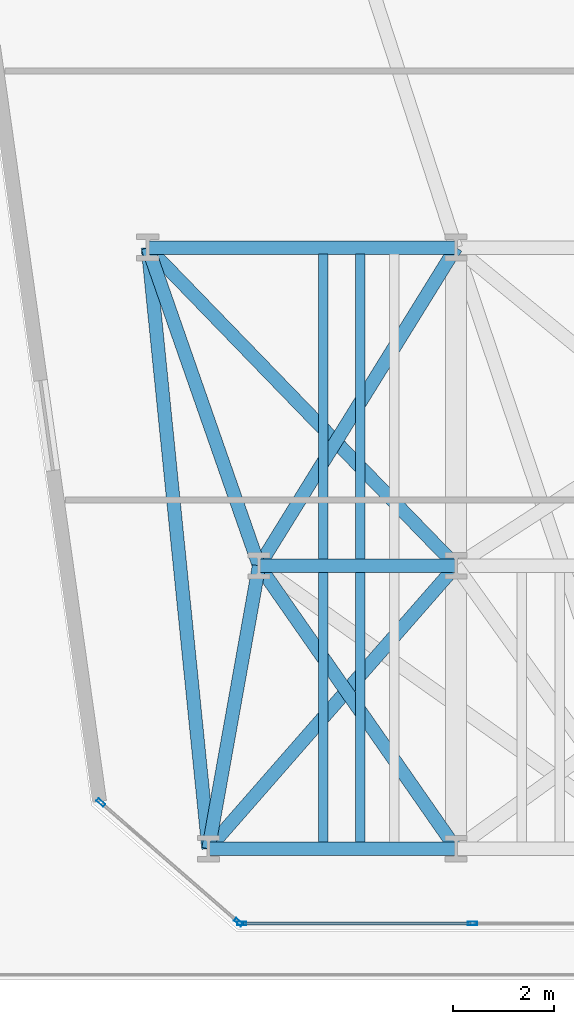
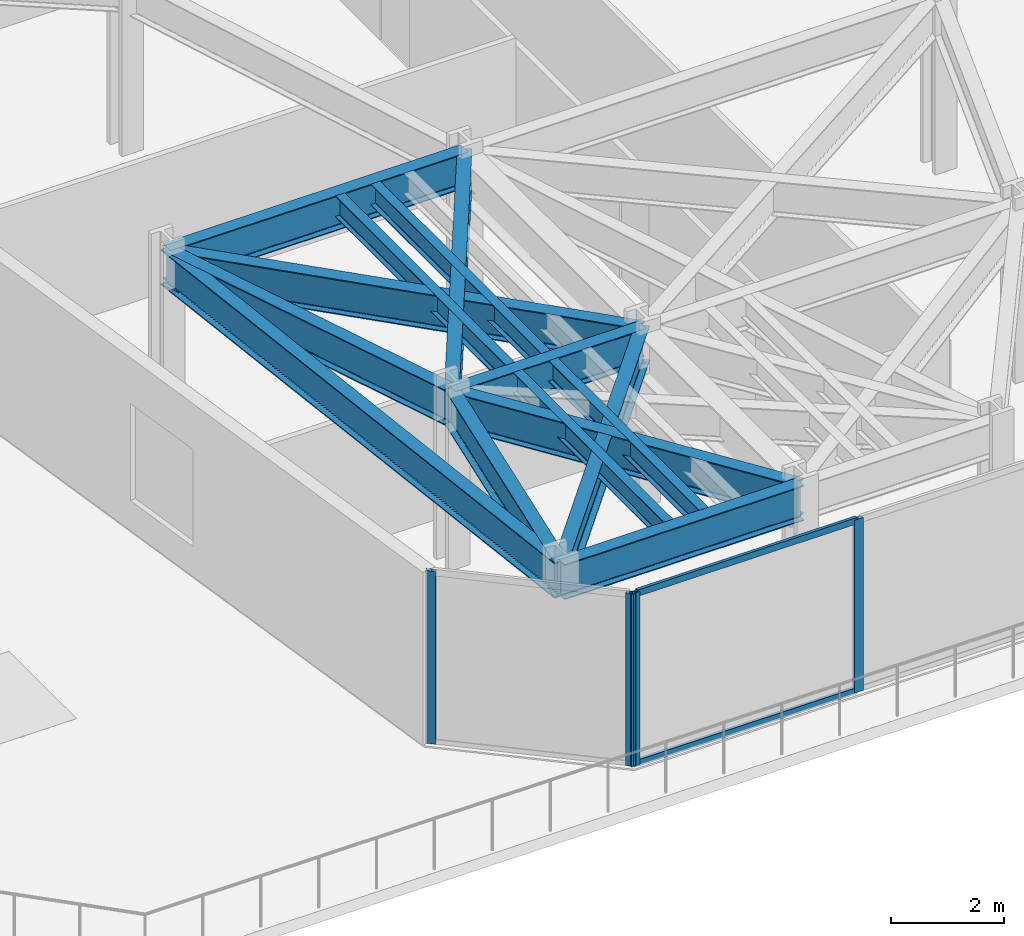
# One storey, part 2 of 25: 14 beams, 6 members, 2 elements without a shape of their own.
"""IFC4 building model written with IfcOpenShell, lengths in metres."""

from ifc_helpers import new_model, si_unit, direction, frame, origin, origin_2d, place, context, subcontext, project, spatial, hollow_rectangle, i_section, extrude, material, layer, layer_set, material_profile, profile_set, type_object, element, aggregate, save


model = new_model("IFC4")

# Units and contexts
model_context = context("Model", 3, precision=1e-05, world=origin(), true_north=direction((0.0, 1.0)))
body_context = subcontext(model_context, "Body", "Model", "MODEL_VIEW")
ifc_project = project(units=[si_unit("LENGTHUNIT", "METRE"), si_unit("AREAUNIT", "SQUARE_METRE"), si_unit("VOLUMEUNIT", "CUBIC_METRE"), si_unit("PLANEANGLEUNIT", "RADIAN"), si_unit("MASSUNIT", "GRAM", prefix="KILO")], contexts=[model_context])

# Site, building, storey
site_placement = place(None, origin())
site = spatial("IfcSite", under=ifc_project, at=site_placement, CompositionType="ELEMENT")
building_placement = place(site_placement, origin())
building = spatial("IfcBuilding", under=site, at=building_placement, Name="Kravanh Interchange Tower", CompositionType="ELEMENT")
storey_placement = place(building_placement, frame((0.0, 0.0, 29.5)))
storey = spatial("IfcBuildingStorey", under=building, at=storey_placement, Name="L06", CompositionType="ELEMENT", Elevation=29.5)

# Curtain wall, members
ifc_material_1 = material(Name="Anodised Bronze Aluminium", Category="aluminium")
ifc_layer = layer(ifc_material_1, 0.179931640625)
ifc_layer_set = layer_set([ifc_layer], Name="Unitised Curtain Wall System CW-Z1 Lower Office")
curtain_wall_type = type_object("IfcCurtainWallType", Name="Unitised Curtain Wall System CW-Z1 Lower Office", PredefinedType="NOTDEFINED", material=ifc_layer_set)
curtain_wall_1_placement = place(storey_placement, origin())
curtain_wall_1 = element("IfcCurtainWall", 1, at=curtain_wall_1_placement, inside=storey, type_object=curtain_wall_type, Name="L06 Unitised Curtain Wall CW-L06-06", PredefinedType="NOTDEFINED")
ifc_material_2 = material(Name="Anodised Bronze Aluminium", Category="aluminium")
ifc_material_profile_1 = material_profile(ifc_material_2, hollow_rectangle(XDim=0.070068359375, YDim=0.179931640625, WallThickness=0.00390625, at=origin_2d()), Name="ALU70X180X4")
ifc_profile_set_1 = profile_set([ifc_material_profile_1], Name="Anodised Bronze Aluminium")
member_type_1 = type_object("IfcMemberType", Name="Curtain Wall Mullion ALU70X180X4 Bronze", PredefinedType="MULLION", material=ifc_profile_set_1)
member_1_placement = place(storey_placement, frame((17.8271484375, 1.1201171875, 0.0), z_axis=(0.0, 0.0, 1.0), x_axis=(0.0, -1.0, 0.0)))
member_1 = element("IfcMember", 2, at=member_1_placement, type_object=member_type_1, Name="CW-Z1 mullion 2", PredefinedType="MULLION", context=body_context, shape_type="SweptSolid", body=[
    extrude(hollow_rectangle(XDim=0.070068359375, YDim=0.179931640625, WallThickness=0.00390625, at=origin_2d()), origin(), (0.0, 0.0, 1.0), 3.739990234375),
])
member_2_placement = place(storey_placement, frame((13.255615234375, 1.1201171875, 0.0), z_axis=(0.0, 0.0, 1.0), x_axis=(0.0, -1.0, 0.0)))
member_2 = element("IfcMember", 3, at=member_2_placement, type_object=member_type_1, Name="CW-Z1 mullion 3", PredefinedType="MULLION", context=body_context, shape_type="SweptSolid", body=[
    extrude(hollow_rectangle(XDim=0.070068359375, YDim=0.179931640625, WallThickness=0.00390625, at=origin_2d()), origin(), (0.0, 0.0, 1.0), 3.739990234375),
])

curtain_wall_2_placement = place(storey_placement, origin())
curtain_wall_2 = element("IfcCurtainWall", 4, at=curtain_wall_2_placement, inside=storey, type_object=curtain_wall_type, Name="L06 Unitised Curtain Wall CW-L06-07", PredefinedType="NOTDEFINED")
member_3_placement = place(storey_placement, frame((13.194091796875, 1.14306640625, 0.0), z_axis=(0.0, 0.0, 1.0), x_axis=(-0.656060422341, -0.754708368999, 0.0)))
member_3 = element("IfcMember", 5, at=member_3_placement, type_object=member_type_1, Name="CW-Z1 mullion 1", PredefinedType="MULLION", context=body_context, shape_type="SweptSolid", body=[
    extrude(hollow_rectangle(XDim=0.070068359375, YDim=0.179931640625, WallThickness=0.00390625, at=origin_2d()), origin(), (0.0, 0.0, 1.0), 3.739990234375),
])
member_4_placement = place(storey_placement, frame((10.466796875, 3.513916015625, 0.0), z_axis=(0.0, 0.0, 1.0), x_axis=(-0.656060422341, -0.754708368999, 0.0)))
member_4 = element("IfcMember", 6, at=member_4_placement, type_object=member_type_1, Name="CW-Z1 mullion 2", PredefinedType="MULLION", context=body_context, shape_type="SweptSolid", body=[
    extrude(hollow_rectangle(XDim=0.070068359375, YDim=0.179931640625, WallThickness=0.00390625, at=origin_2d()), origin(), (0.0, 0.0, 1.0), 3.739990234375),
])
aggregate(curtain_wall_2, [member_3, member_4])

# Member
ifc_material_3 = material(Name="Anodised Bronze Aluminium", Category="aluminium")
ifc_material_profile_2 = material_profile(ifc_material_3, hollow_rectangle(XDim=0.06005859375, YDim=0.139892578125, WallThickness=0.00390625, at=origin_2d()), Name="ALU60X140X4")
ifc_profile_set_2 = profile_set([ifc_material_profile_2], Name="Anodised Bronze Aluminium")
member_type_2 = type_object("IfcMemberType", Name="Curtain Wall Transom ALU60X140X4 Bronze", PredefinedType="USERDEFINED", material=ifc_profile_set_2)
member_5_placement = place(storey_placement, frame((17.792236328125, 1.1201171875, 0.030029296875), z_axis=(-1.0, 0.0, 0.0), x_axis=(0.0, -1.0, 0.0)))
member_5 = element("IfcMember", 7, at=member_5_placement, type_object=member_type_2, Name="CW-Z1 transom 2.1", ObjectType="TRANSOM", PredefinedType="USERDEFINED", context=body_context, shape_type="SweptSolid", body=[
    extrude(hollow_rectangle(XDim=0.06005859375, YDim=0.139892578125, WallThickness=0.00390625, at=origin_2d()), origin(), (0.0, 0.0, 1.0), 4.501708984375),
])

member_6_placement = place(storey_placement, frame((17.792236328125, 1.1201171875, 3.7099609375), z_axis=(-1.0, 0.0, 0.0), x_axis=(0.0, -1.0, 0.0)))
member_6 = element("IfcMember", 8, at=member_6_placement, type_object=member_type_2, Name="CW-Z1 transom 2.2", ObjectType="TRANSOM", PredefinedType="USERDEFINED", context=body_context, shape_type="SweptSolid", body=[
    extrude(hollow_rectangle(XDim=0.06005859375, YDim=0.139892578125, WallThickness=0.00390625, at=origin_2d()), origin(), (0.0, 0.0, 1.0), 4.501708984375),
])

aggregate(curtain_wall_1, [member_1, member_2, member_5, member_6])

# Beams
ifc_material_4 = material(Name="Structural Steel S355", Category="steel")
ifc_material_profile_3 = material_profile(ifc_material_4, i_section(OverallWidth=0.18994140625, OverallDepth=0.45703125, WebThickness=0.009033203125, FlangeThickness=0.014404296875, FilletRadius=0.01806640625, at=origin_2d()), Name="W18X50")
ifc_profile_set_3 = profile_set([ifc_material_profile_3], Name="Structural Steel S355")
beam_type_1 = type_object("IfcBeamType", Name="Floor Joist W18X50 Structural Steel S355", PredefinedType="JOIST", material=ifc_profile_set_3)
for number, where, z_axis, x_axis, name in (
    (9, (14.8740234375, 2.728515625, 3.511474609375), (0.0, 1.0, 0.0), (-1.0, 0.0, 0.0), "L06 Secondary Floor Joist 1"),
    (10, (15.60205078125, 2.728515625, 3.511474609375), (0.0, 1.0, 0.0), (-1.0, 0.0, 0.0), "L06 Secondary Floor Joist 2"),
):
    element("IfcBeam", number, at=place(storey_placement, frame(where, z_axis=z_axis, x_axis=x_axis)), inside=storey, type_object=beam_type_1, Name=name, PredefinedType="JOIST", context=body_context, shape_type="SweptSolid", body=[
        extrude(i_section(OverallWidth=0.18994140625, OverallDepth=0.45703125, WebThickness=0.009033203125, FlangeThickness=0.014404296875, FilletRadius=0.01806640625, at=origin_2d()), origin(), (0.0, 0.0, 1.0), 5.343017578125),
    ])
for number, where, z_axis, x_axis, name in (
    (11, (14.8740234375, 8.32861328125, 3.511474609375), (0.0, 1.0, 0.0), (-1.0, 0.0, 0.0), "L06 Secondary Floor Joist 10"),
    (12, (15.60205078125, 8.32861328125, 3.511474609375), (0.0, 1.0, 0.0), (-1.0, 0.0, 0.0), "L06 Secondary Floor Joist 11"),
):
    element("IfcBeam", number, at=place(storey_placement, frame(where, z_axis=z_axis, x_axis=x_axis)), inside=storey, type_object=beam_type_1, Name=name, PredefinedType="JOIST", context=body_context, shape_type="SweptSolid", body=[
        extrude(i_section(OverallWidth=0.18994140625, OverallDepth=0.45703125, WebThickness=0.009033203125, FlangeThickness=0.014404296875, FilletRadius=0.01806640625, at=origin_2d()), origin(), (0.0, 0.0, 1.0), 6.04296875),
    ])
ifc_material_5 = material(Name="Structural Steel S355", Category="steel")
ifc_material_profile_4 = material_profile(ifc_material_5, i_section(OverallWidth=0.26708984375, OverallDepth=0.761962890625, WebThickness=0.014404296875, FlangeThickness=0.021484375, FilletRadius=0.02490234375, at=origin_2d()), Name="W30X116")
ifc_profile_set_4 = profile_set([ifc_material_profile_4], Name="Structural Steel S355")
beam_type_2 = type_object("IfcBeamType", Name="Floor Spandrel W30X116 Structural Steel S355", PredefinedType="SPANDREL", material=ifc_profile_set_4)
beam_1_placement = place(storey_placement, frame((12.60009765625, 2.60009765625, 3.35888671875), z_axis=(1.0, 0.0, 0.0), x_axis=(0.0, 1.0, 0.0)))
element("IfcBeam", 13, at=beam_1_placement, inside=storey, type_object=beam_type_2, Name="L06 Perimeter Spandrel 38", PredefinedType="SPANDREL", context=body_context, shape_type="SweptSolid", body=[
    extrude(i_section(OverallWidth=0.26708984375, OverallDepth=0.761962890625, WebThickness=0.014404296875, FlangeThickness=0.021484375, FilletRadius=0.02490234375, at=origin_2d()), origin(), (0.0, 0.0, 1.0), 4.89990234375),
])
beam_2_placement = place(storey_placement, frame((12.60009765625, 2.60009765625, 3.35888671875), z_axis=(0.175795094814, 0.984426779725, 0.0), x_axis=(-0.984426779725, 0.175795094814, 0.0)))
element("IfcBeam", 14, at=beam_2_placement, inside=storey, type_object=beam_type_2, Name="L06 Perimeter Spandrel 39", PredefinedType="SPANDREL", context=body_context, shape_type="SweptSolid", body=[
    extrude(i_section(OverallWidth=0.26708984375, OverallDepth=0.761962890625, WebThickness=0.014404296875, FlangeThickness=0.021484375, FilletRadius=0.02490234375, at=origin_2d()), origin(), (0.0, 0.0, 1.0), 5.6884765625),
])
beam_3_placement = place(storey_placement, frame((12.60009765625, 2.60009765625, 3.35888671875), z_axis=(0.658506930733, 0.752574662194, 0.0), x_axis=(-0.752574662194, 0.658506930733, 0.0)))
element("IfcBeam", 15, at=beam_3_placement, inside=storey, type_object=beam_type_2, Name="L06 Perimeter Spandrel 40", PredefinedType="SPANDREL", context=body_context, shape_type="SweptSolid", body=[
    extrude(i_section(OverallWidth=0.26708984375, OverallDepth=0.761962890625, WebThickness=0.014404296875, FlangeThickness=0.021484375, FilletRadius=0.02490234375, at=origin_2d()), origin(), (0.0, 0.0, 1.0), 7.44091796875),
])
beam_4_placement = place(storey_placement, frame((12.60009765625, 2.60009765625, 3.35888671875), z_axis=(-0.100348483042, 0.994952351598, 0.0), x_axis=(-0.994952351598, -0.100348483042, 0.0)))
element("IfcBeam", 16, at=beam_4_placement, inside=storey, type_object=beam_type_2, Name="L06 Perimeter Spandrel 41", PredefinedType="SPANDREL", context=body_context, shape_type="SweptSolid", body=[
    extrude(i_section(OverallWidth=0.26708984375, OverallDepth=0.761962890625, WebThickness=0.014404296875, FlangeThickness=0.021484375, FilletRadius=0.02490234375, at=origin_2d()), origin(), (0.0, 0.0, 1.0), 11.960205078125),
])
beam_5_placement = place(storey_placement, frame((17.5, 2.60009765625, 3.35888671875), z_axis=(-0.571494183969, 0.820606116045, 0.0), x_axis=(-0.820606116045, -0.571494183969, 0.0)))
element("IfcBeam", 17, at=beam_5_placement, inside=storey, type_object=beam_type_2, Name="L06 Perimeter Spandrel 104", PredefinedType="SPANDREL", context=body_context, shape_type="SweptSolid", body=[
    extrude(i_section(OverallWidth=0.26708984375, OverallDepth=0.761962890625, WebThickness=0.014404296875, FlangeThickness=0.021484375, FilletRadius=0.02490234375, at=origin_2d()), origin(), (0.0, 0.0, 1.0), 6.823974609375),
])
beam_6_placement = place(storey_placement, frame((13.60009765625, 8.199951171875, 3.35888671875), z_axis=(1.0, 0.0, 0.0), x_axis=(0.0, 1.0, 0.0)))
element("IfcBeam", 18, at=beam_6_placement, inside=storey, type_object=beam_type_2, Name="L06 Perimeter Spandrel 133", PredefinedType="SPANDREL", context=body_context, shape_type="SweptSolid", body=[
    extrude(i_section(OverallWidth=0.26708984375, OverallDepth=0.761962890625, WebThickness=0.014404296875, FlangeThickness=0.021484375, FilletRadius=0.02490234375, at=origin_2d()), origin(), (0.0, 0.0, 1.0), 3.89990234375),
])
beam_7_placement = place(storey_placement, frame((13.60009765625, 8.199951171875, 3.35888671875), z_axis=(-0.329706642337, 0.944083433812, 0.0), x_axis=(-0.944083433812, -0.329706642337, 0.0)))
element("IfcBeam", 19, at=beam_7_placement, inside=storey, type_object=beam_type_2, Name="L06 Perimeter Spandrel 134", PredefinedType="SPANDREL", context=body_context, shape_type="SweptSolid", body=[
    extrude(i_section(OverallWidth=0.26708984375, OverallDepth=0.761962890625, WebThickness=0.014404296875, FlangeThickness=0.021484375, FilletRadius=0.02490234375, at=origin_2d()), origin(), (0.0, 0.0, 1.0), 6.673095703125),
])
beam_8_placement = place(storey_placement, frame((13.60009765625, 8.199951171875, 3.35888671875), z_axis=(0.5263421368, 0.850272870923, 0.0), x_axis=(-0.850272870923, 0.5263421368, 0.0)))
element("IfcBeam", 20, at=beam_8_placement, inside=storey, type_object=beam_type_2, Name="L06 Perimeter Spandrel 135", PredefinedType="SPANDREL", context=body_context, shape_type="SweptSolid", body=[
    extrude(i_section(OverallWidth=0.26708984375, OverallDepth=0.761962890625, WebThickness=0.014404296875, FlangeThickness=0.021484375, FilletRadius=0.02490234375, at=origin_2d()), origin(), (0.0, 0.0, 1.0), 7.409423828125),
])
beam_9_placement = place(storey_placement, frame((17.5, 8.199951171875, 3.35888671875), z_axis=(-0.695614323867, 0.718415417729, 0.0), x_axis=(-0.718415417729, -0.695614323867, 0.0)))
element("IfcBeam", 21, at=beam_9_placement, inside=storey, type_object=beam_type_2, Name="L06 Perimeter Spandrel 138", PredefinedType="SPANDREL", context=body_context, shape_type="SweptSolid", body=[
    extrude(i_section(OverallWidth=0.26708984375, OverallDepth=0.761962890625, WebThickness=0.014404296875, FlangeThickness=0.021484375, FilletRadius=0.02490234375, at=origin_2d()), origin(), (0.0, 0.0, 1.0), 8.769287109375),
])
beam_10_placement = place(storey_placement, frame((11.39990234375, 14.5, 3.35888671875), z_axis=(1.0, 0.0, 0.0), x_axis=(0.0, 1.0, 0.0)))
element("IfcBeam", 22, at=beam_10_placement, inside=storey, type_object=beam_type_2, Name="L06 Perimeter Spandrel 143", PredefinedType="SPANDREL", context=body_context, shape_type="SweptSolid", body=[
    extrude(i_section(OverallWidth=0.26708984375, OverallDepth=0.761962890625, WebThickness=0.014404296875, FlangeThickness=0.021484375, FilletRadius=0.02490234375, at=origin_2d()), origin(), (0.0, 0.0, 1.0), 6.10009765625),
])

save(model, "model.ifc")
